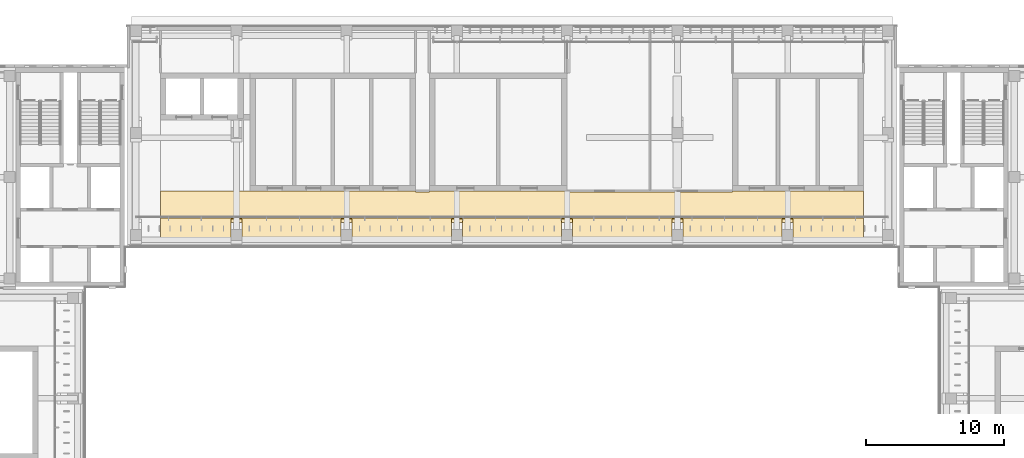
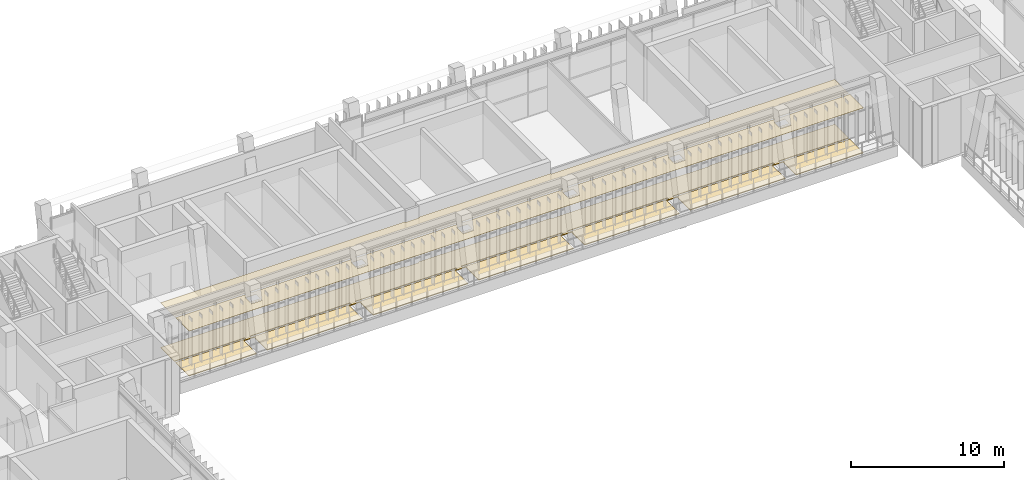
# One storey, part 81 of 89: 2 coverings.
"""IFC4 building model written with IfcOpenShell, lengths in metres."""

from ifc_helpers import new_model, si_unit, direction, frame, origin, place, context, subcontext, project, spatial, polyline, outline, extrude, material, layer, layer_set, type_object, element, save


model = new_model("IFC4")

# Units and contexts
model_context = context("Model", 3, precision=1e-05, world=origin(), true_north=direction((0.0, 1.0)))
body_context = subcontext(model_context, "Body", "Model", "MODEL_VIEW")
ifc_project = project(units=[si_unit("LENGTHUNIT", "METRE"), si_unit("AREAUNIT", "SQUARE_METRE"), si_unit("VOLUMEUNIT", "CUBIC_METRE"), si_unit("PLANEANGLEUNIT", "RADIAN"), si_unit("MASSUNIT", "GRAM", prefix="KILO")], contexts=[model_context])

# Site, building, storey
site_placement = place(None, origin())
site = spatial("IfcSite", under=ifc_project, at=site_placement, CompositionType="ELEMENT")
building_placement = place(site_placement, origin())
building = spatial("IfcBuilding", under=site, at=building_placement, Name="Lantern Court Media Centre", CompositionType="ELEMENT")
storey_placement = place(building_placement, frame((0.0, 0.0, 14.39990234375)))
storey = spatial("IfcBuildingStorey", under=building, at=storey_placement, Name="L03", CompositionType="ELEMENT", Elevation=14.39990234375)

# Coverings
ifc_material_1 = material(Name="Mineral fibre ceiling tile")
ifc_layer_1 = layer(ifc_material_1, 0.02001953125)
ifc_layer_set_1 = layer_set([ifc_layer_1], Name="Mineral fibre ceiling tile")
covering_type_1 = type_object("IfcCoveringType", Name="Suspended ceiling tile", PredefinedType="CEILING", material=ifc_layer_set_1)
covering_1_placement = place(storey_placement, frame((0.0, 0.0, 3.60009765625)))
element("IfcCovering", 1, at=covering_1_placement, inside=storey, type_object=covering_type_1, Name="Corridor ceiling", PredefinedType="CEILING", context=body_context, shape_type="SweptSolid", body=[
    extrude(outline(polyline([(77.5, 99.300048828125), (26.5, 99.300048828125), (26.5, 101.074462890625), (31.800537109375, 101.074951171875), (31.800048828125, 101.2255859375), (26.5, 101.2255859375), (26.5, 103.050048828125), (44.99951171875, 103.049560546875), (45.0, 102.969482421875), (46.0, 102.969482421875), (46.00048828125, 103.049560546875), (55.99951171875, 103.049560546875), (56.0, 102.987060546875), (67.9951171875, 102.987060546875), (67.99560546875, 103.050048828125), (77.5, 103.049560546875), (77.5, 101.2255859375), (72.199462890625, 101.22509765625), (72.199951171875, 101.074462890625), (77.5, 101.074462890625), (77.5, 99.300048828125)]), holes=[polyline([(72.400390625, 100.0), (71.599853515625, 100.00048828125), (71.599609375, 99.9521484375), (72.400146484375, 99.95166015625), (72.400390625, 100.0)]), polyline([(72.400390625, 100.752197265625), (71.599609375, 100.75244140625), (71.599609375, 100.19970703125), (72.400390625, 100.199462890625), (72.400390625, 100.752197265625)]), polyline([(64.199462890625, 101.074951171875), (71.800048828125, 101.074462890625), (71.800537109375, 101.22509765625), (64.199951171875, 101.2255859375), (64.199462890625, 101.074951171875)]), polyline([(64.39990234375, 99.95166015625), (64.400146484375, 100.00048828125), (63.599609375, 100.0), (63.599853515625, 99.95166015625), (64.39990234375, 99.95166015625)]), polyline([(64.39990234375, 100.199462890625), (64.400390625, 100.75244140625), (63.599609375, 100.75244140625), (63.599609375, 100.199462890625), (64.39990234375, 100.199462890625)]), polyline([(56.199462890625, 101.074951171875), (63.800048828125, 101.074462890625), (63.800537109375, 101.22509765625), (56.199951171875, 101.2255859375), (56.199462890625, 101.074951171875)]), polyline([(56.400390625, 100.0), (55.599853515625, 100.00048828125), (55.599609375, 99.9521484375), (56.400146484375, 99.95166015625), (56.400390625, 100.0)]), polyline([(56.39990234375, 100.199462890625), (56.400390625, 100.75244140625), (55.599609375, 100.75244140625), (55.599609375, 100.199462890625), (56.39990234375, 100.199462890625)]), polyline([(48.199951171875, 101.2255859375), (48.199951171875, 101.074462890625), (55.800537109375, 101.074951171875), (55.800048828125, 101.2255859375), (48.199951171875, 101.2255859375)]), polyline([(48.39990234375, 99.95166015625), (48.400146484375, 100.00048828125), (47.599609375, 100.0), (47.599853515625, 99.95166015625), (48.39990234375, 99.95166015625)]), polyline([(48.39990234375, 100.199462890625), (48.400390625, 100.75244140625), (47.599609375, 100.75244140625), (47.599609375, 100.199462890625), (48.39990234375, 100.199462890625)]), polyline([(40.199951171875, 101.2255859375), (40.199951171875, 101.074462890625), (47.800537109375, 101.074951171875), (47.800048828125, 101.2255859375), (40.199951171875, 101.2255859375)]), polyline([(40.39990234375, 99.95166015625), (40.400146484375, 100.00048828125), (39.599609375, 100.0), (39.599853515625, 99.95166015625), (40.39990234375, 99.95166015625)]), polyline([(40.400390625, 100.752197265625), (39.599609375, 100.75244140625), (39.599609375, 100.19970703125), (40.400390625, 100.199462890625), (40.400390625, 100.752197265625)]), polyline([(32.199951171875, 101.2255859375), (32.199951171875, 101.074462890625), (39.800537109375, 101.074951171875), (39.800048828125, 101.2255859375), (32.199951171875, 101.2255859375)]), polyline([(32.39990234375, 99.95166015625), (32.400146484375, 100.00048828125), (31.599609375, 100.0), (31.599853515625, 99.95166015625), (32.39990234375, 99.95166015625)]), polyline([(32.39990234375, 100.199462890625), (32.400390625, 100.75244140625), (31.599609375, 100.75244140625), (31.599609375, 100.199462890625), (32.39990234375, 100.199462890625)])]), origin(), (0.0, 0.0, 1.0), 0.02001953125),
])
ifc_material_2 = material(Name="Terrazzo")
ifc_layer_2 = layer(ifc_material_2, 0.050048828125)
ifc_layer_set_2 = layer_set([ifc_layer_2], Name="Terrazzo")
covering_type_2 = type_object("IfcCoveringType", Name="Terrazzo floor finish", PredefinedType="FLOORING", material=ifc_layer_set_2)
covering_2_placement = place(storey_placement, origin())
element("IfcCovering", 2, at=covering_2_placement, inside=storey, type_object=covering_type_2, Name="Corridor floor finish", PredefinedType="FLOORING", context=body_context, shape_type="SweptSolid", body=[
    extrude(outline(polyline([(77.5, 99.300048828125), (72.405029296875, 99.300048828125), (72.39990234375, 101.0048828125), (71.595458984375, 101.001953125), (71.594970703125, 99.300048828125), (64.405029296875, 99.300048828125), (64.39990234375, 101.0048828125), (63.595458984375, 101.001953125), (63.594970703125, 99.300048828125), (56.405029296875, 99.300048828125), (56.39990234375, 101.0048828125), (55.595458984375, 101.001953125), (55.594970703125, 99.300048828125), (48.405029296875, 99.300048828125), (48.39990234375, 101.0048828125), (47.595458984375, 101.001953125), (47.594970703125, 99.300048828125), (40.405029296875, 99.300048828125), (40.39990234375, 101.0048828125), (39.595458984375, 101.001953125), (39.594970703125, 99.300048828125), (32.405029296875, 99.300048828125), (32.39990234375, 101.0048828125), (31.595458984375, 101.001953125), (31.594970703125, 99.300048828125), (26.5, 99.300048828125), (26.5, 101.070068359375), (31.804931640625, 101.074951171875), (31.800048828125, 101.22998046875), (26.5, 101.22998046875), (26.5, 103.050048828125), (44.9951171875, 103.044921875), (45.0, 102.965087890625), (46.00048828125, 102.965087890625), (46.0048828125, 103.044921875), (55.9951171875, 103.044921875), (56.0, 102.982421875), (67.9951171875, 102.982421875), (68.0, 103.044921875), (77.5, 103.044921875), (77.5, 101.22998046875), (72.195068359375, 101.22509765625), (72.199951171875, 101.070068359375), (77.5, 101.070068359375), (77.5, 99.300048828125)]), holes=[polyline([(64.199951171875, 101.22998046875), (64.199951171875, 101.070068359375), (71.804931640625, 101.074951171875), (71.800048828125, 101.22998046875), (64.199951171875, 101.22998046875)]), polyline([(56.199951171875, 101.22998046875), (56.199951171875, 101.070068359375), (63.804931640625, 101.074951171875), (63.800048828125, 101.22998046875), (56.199951171875, 101.22998046875)]), polyline([(48.195068359375, 101.074951171875), (55.800048828125, 101.070068359375), (55.804931640625, 101.22509765625), (48.199951171875, 101.22998046875), (48.195068359375, 101.074951171875)]), polyline([(40.195068359375, 101.074951171875), (47.800048828125, 101.070068359375), (47.804931640625, 101.22509765625), (40.199951171875, 101.22998046875), (40.195068359375, 101.074951171875)]), polyline([(32.199951171875, 101.22998046875), (32.199951171875, 101.070068359375), (39.804931640625, 101.074951171875), (39.800048828125, 101.22998046875), (32.199951171875, 101.22998046875)])]), origin(), (0.0, 0.0, 1.0), 0.050048828125),
])

save(model, "model.ifc")
